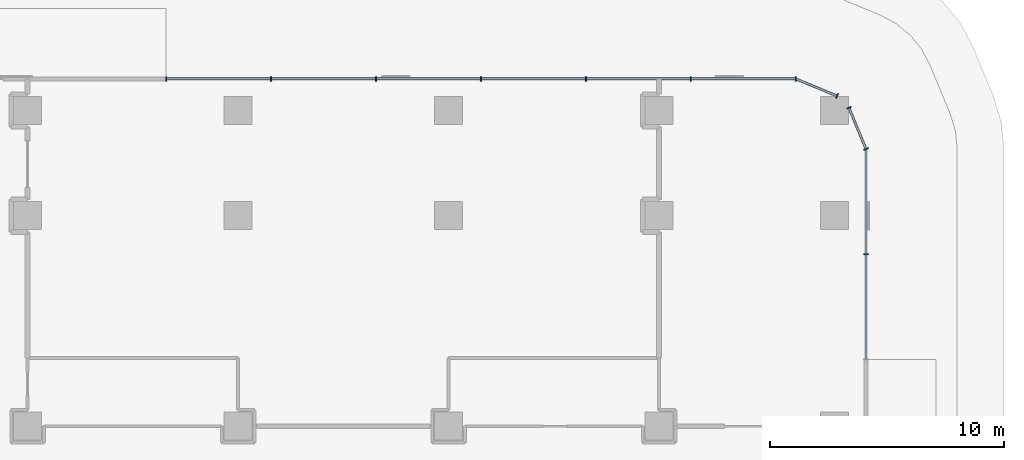
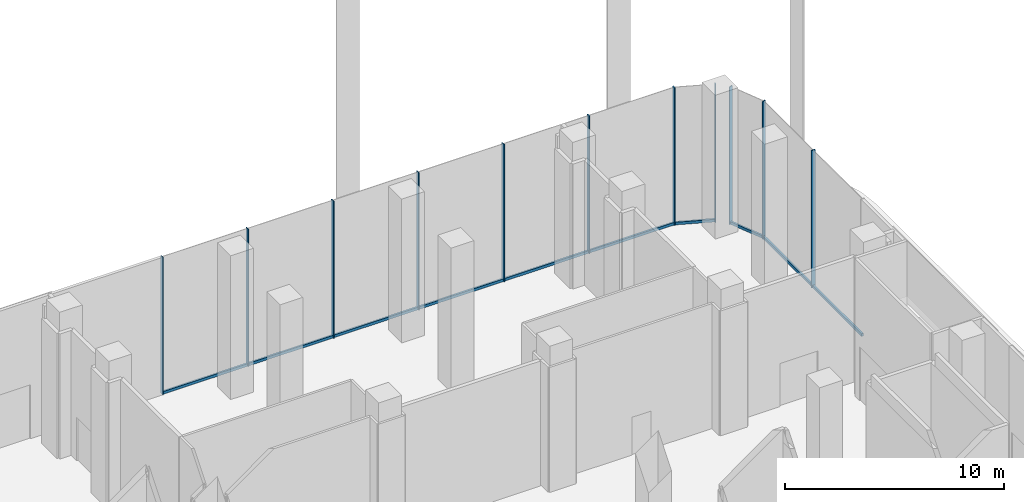
# One storey, part 13 of 42: 15 members, 4 elements without a shape of their own.
"""IFC4 building model written with IfcOpenShell, lengths in metres."""

from ifc_helpers import new_model, si_unit, direction, frame, origin, origin_2d, place, context, subcontext, project, spatial, rectangle, extrude, material, layer, layer_set, material_profile, profile_set, type_object, element, aggregate, save


model = new_model("IFC4")

# Units and contexts
model_context = context("Model", 3, precision=1e-05, world=origin(), true_north=direction((0.0, 1.0)))
body_context = subcontext(model_context, "Body", "Model", "MODEL_VIEW")
ifc_project = project(units=[si_unit("LENGTHUNIT", "METRE"), si_unit("AREAUNIT", "SQUARE_METRE"), si_unit("VOLUMEUNIT", "CUBIC_METRE"), si_unit("PLANEANGLEUNIT", "RADIAN"), si_unit("MASSUNIT", "GRAM", prefix="KILO")], contexts=[model_context])

# Site, building, storey
site_placement = place(None, origin())
site = spatial("IfcSite", under=ifc_project, at=site_placement, CompositionType="ELEMENT")
building_placement = place(site_placement, origin())
building = spatial("IfcBuilding", under=site, at=building_placement, Name="Plateau Cross Towers", CompositionType="ELEMENT")
storey_placement = place(building_placement, origin())
storey = spatial("IfcBuildingStorey", under=building, at=storey_placement, Name="L00", CompositionType="ELEMENT", Elevation=0.0)

# Curtain wall, member
ifc_material_1 = material(Name="Dark low-iron laminated glass", Category="glass")
ifc_layer = layer(ifc_material_1, 0.300048828125)
ifc_layer_set = layer_set([ifc_layer], Name="Dark low-iron laminated glass")
curtain_wall_type = type_object("IfcCurtainWallType", Name="Curtain wall structural silicone CW-C", PredefinedType="NOTDEFINED", material=ifc_layer_set)
curtain_wall_1_placement = place(storey_placement, origin())
curtain_wall_1 = element("IfcCurtainWall", 1, at=curtain_wall_1_placement, inside=storey, type_object=curtain_wall_type, Name="ENV/P/L00/P1078_479", PredefinedType="NOTDEFINED")
ifc_material_2 = material(Name="Black anodised aluminium", Category="aluminium")
ifc_material_profile_1 = material_profile(ifc_material_2, rectangle(XDim=0.050048828125, YDim=0.199951171875, at=origin_2d()), Name="MULLION 50x200")
ifc_profile_set_1 = profile_set([ifc_material_profile_1], Name="Black anodised aluminium")
member_type_1 = type_object("IfcMemberType", Name="Mullion 50x200 structural silicone", PredefinedType="MULLION", material=ifc_profile_set_1)
member_1_placement = place(storey_placement, frame((107.85009765625, 52.35498046875, 0.0), z_axis=(0.0, 0.0, 1.0), x_axis=(0.0, 1.0, 0.0)))
member_1 = element("IfcMember", 2, at=member_1_placement, type_object=member_type_1, Name="CW-C mullion 2", PredefinedType="MULLION", context=body_context, shape_type="SweptSolid", body=[
    extrude(rectangle(XDim=0.050048828125, YDim=0.199951171875, at=origin_2d()), origin(), (0.0, 0.0, 1.0), 7.64990234375),
])

# Curtain wall, members
curtain_wall_2_placement = place(storey_placement, origin())
curtain_wall_2 = element("IfcCurtainWall", 3, at=curtain_wall_2_placement, inside=storey, type_object=curtain_wall_type, Name="ENV/P/L00/P1078_568", PredefinedType="NOTDEFINED")
member_2_placement = place(storey_placement, frame((107.85009765625, 56.85009765625, 0.0), z_axis=(0.0, 0.0, 1.0), x_axis=(-0.382683612978, 0.923879457699, 0.0)))
member_2 = element("IfcMember", 4, at=member_2_placement, type_object=member_type_1, Name="CW-C mullion 1", PredefinedType="MULLION", context=body_context, shape_type="SweptSolid", body=[
    extrude(rectangle(XDim=0.050048828125, YDim=0.199951171875, at=origin_2d()), origin(), (0.0, 0.0, 1.0), 7.64990234375),
])
member_3_placement = place(storey_placement, frame((107.1201171875, 58.6123046875, 0.0), z_axis=(0.0, 0.0, 1.0), x_axis=(-0.382683612978, 0.923879457699, 0.0)))
member_3 = element("IfcMember", 5, at=member_3_placement, type_object=member_type_1, Name="CW-C mullion 2", PredefinedType="MULLION", context=body_context, shape_type="SweptSolid", body=[
    extrude(rectangle(XDim=0.050048828125, YDim=0.199951171875, at=origin_2d()), origin(), (0.0, 0.0, 1.0), 7.64990234375),
])

# Curtain wall, member
curtain_wall_3_placement = place(storey_placement, origin())
curtain_wall_3 = element("IfcCurtainWall", 6, at=curtain_wall_3_placement, inside=storey, type_object=curtain_wall_type, Name="ENV/P/L00/P1066_591", PredefinedType="NOTDEFINED")
member_4_placement = place(storey_placement, frame((106.6123046875, 59.1201171875, 0.0), z_axis=(0.0, 0.0, 1.0), x_axis=(-0.923879457699, 0.382683612978, 0.0)))
member_4 = element("IfcMember", 7, at=member_4_placement, type_object=member_type_1, Name="CW-C mullion 1", PredefinedType="MULLION", context=body_context, shape_type="SweptSolid", body=[
    extrude(rectangle(XDim=0.050048828125, YDim=0.199951171875, at=origin_2d()), origin(), (0.0, 0.0, 1.0), 7.64990234375),
])

# Curtain wall, members
curtain_wall_4_placement = place(storey_placement, origin())
curtain_wall_4 = element("IfcCurtainWall", 8, at=curtain_wall_4_placement, inside=storey, type_object=curtain_wall_type, Name="ENV/P/L00/P1048_598", PredefinedType="NOTDEFINED")
member_5_placement = place(storey_placement, frame((104.85009765625, 59.85009765625, 0.0), z_axis=(0.0, 0.0, 1.0), x_axis=(-1.0, 0.0, 0.0)))
member_5 = element("IfcMember", 9, at=member_5_placement, type_object=member_type_1, Name="CW-C mullion 1", PredefinedType="MULLION", context=body_context, shape_type="SweptSolid", body=[
    extrude(rectangle(XDim=0.050048828125, YDim=0.199951171875, at=origin_2d()), origin(), (0.0, 0.0, 1.0), 7.64990234375),
])
member_6_placement = place(storey_placement, frame((100.362548828125, 59.85009765625, 0.0), z_axis=(0.0, 0.0, 1.0), x_axis=(-1.0, 0.0, 0.0)))
member_6 = element("IfcMember", 10, at=member_6_placement, type_object=member_type_1, Name="CW-C mullion 2", PredefinedType="MULLION", context=body_context, shape_type="SweptSolid", body=[
    extrude(rectangle(XDim=0.050048828125, YDim=0.199951171875, at=origin_2d()), origin(), (0.0, 0.0, 1.0), 7.64990234375),
])
member_7_placement = place(storey_placement, frame((95.875, 59.85009765625, 0.0), z_axis=(0.0, 0.0, 1.0), x_axis=(-1.0, 0.0, 0.0)))
member_7 = element("IfcMember", 11, at=member_7_placement, type_object=member_type_1, Name="CW-C mullion 3", PredefinedType="MULLION", context=body_context, shape_type="SweptSolid", body=[
    extrude(rectangle(XDim=0.050048828125, YDim=0.199951171875, at=origin_2d()), origin(), (0.0, 0.0, 1.0), 7.64990234375),
])
member_8_placement = place(storey_placement, frame((91.387451171875, 59.85009765625, 0.0), z_axis=(0.0, 0.0, 1.0), x_axis=(-1.0, 0.0, 0.0)))
member_8 = element("IfcMember", 12, at=member_8_placement, type_object=member_type_1, Name="CW-C mullion 4", PredefinedType="MULLION", context=body_context, shape_type="SweptSolid", body=[
    extrude(rectangle(XDim=0.050048828125, YDim=0.199951171875, at=origin_2d()), origin(), (0.0, 0.0, 1.0), 7.64990234375),
])
member_9_placement = place(storey_placement, frame((86.89990234375, 59.85009765625, 0.0), z_axis=(0.0, 0.0, 1.0), x_axis=(-1.0, 0.0, 0.0)))
member_9 = element("IfcMember", 13, at=member_9_placement, type_object=member_type_1, Name="CW-C mullion 5", PredefinedType="MULLION", context=body_context, shape_type="SweptSolid", body=[
    extrude(rectangle(XDim=0.050048828125, YDim=0.199951171875, at=origin_2d()), origin(), (0.0, 0.0, 1.0), 7.64990234375),
])
member_10_placement = place(storey_placement, frame((82.41259765625, 59.85009765625, 0.0), z_axis=(0.0, 0.0, 1.0), x_axis=(-1.0, 0.0, 0.0)))
member_10 = element("IfcMember", 14, at=member_10_placement, type_object=member_type_1, Name="CW-C mullion 6", PredefinedType="MULLION", context=body_context, shape_type="SweptSolid", body=[
    extrude(rectangle(XDim=0.050048828125, YDim=0.199951171875, at=origin_2d()), origin(), (0.0, 0.0, 1.0), 7.64990234375),
])
member_11_placement = place(storey_placement, frame((77.925048828125, 59.85009765625, 0.0), z_axis=(0.0, 0.0, 1.0), x_axis=(-1.0, 0.0, 0.0)))
member_11 = element("IfcMember", 15, at=member_11_placement, type_object=member_type_1, Name="CW-C mullion 7", PredefinedType="MULLION", context=body_context, shape_type="SweptSolid", body=[
    extrude(rectangle(XDim=0.050048828125, YDim=0.199951171875, at=origin_2d()), origin(), (0.0, 0.0, 1.0), 7.64990234375),
])

# Member
ifc_material_profile_2 = material_profile(ifc_material_2, rectangle(XDim=0.10009765625, YDim=0.14990234375, at=origin_2d()), Name="TRANSOM 100x150")
ifc_profile_set_2 = profile_set([ifc_material_profile_2], Name="Black anodised aluminium")
member_type_2 = type_object("IfcMemberType", Name="Transom 100x150 structural silicone", PredefinedType="USERDEFINED", material=ifc_profile_set_2)
member_12_placement = place(storey_placement, frame((107.85009765625, 47.860107421875, 0.074951171875), z_axis=(0.0, 1.0, 0.0), x_axis=(-1.0, 0.0, 0.0)))
member_12 = element("IfcMember", 16, at=member_12_placement, type_object=member_type_2, Name="CW-C transom", ObjectType="TRANSOM", PredefinedType="USERDEFINED", context=body_context, shape_type="SweptSolid", body=[
    extrude(rectangle(XDim=0.10009765625, YDim=0.14990234375, at=origin_2d()), origin(), (0.0, 0.0, 1.0), 8.989990234375),
])

aggregate(curtain_wall_1, [member_1, member_12])

member_13_placement = place(storey_placement, frame((107.85009765625, 56.85009765625, 0.074951171875), z_axis=(-0.38270599329, 0.923870187147, 0.0), x_axis=(-0.923870187147, -0.38270599329, 0.0)))
member_13 = element("IfcMember", 17, at=member_13_placement, type_object=member_type_2, Name="CW-C transom", ObjectType="TRANSOM", PredefinedType="USERDEFINED", context=body_context, shape_type="SweptSolid", body=[
    extrude(rectangle(XDim=0.10009765625, YDim=0.14990234375, at=origin_2d()), origin(), (0.0, 0.0, 1.0), 1.907470703125),
])

aggregate(curtain_wall_2, [member_2, member_3, member_13])

member_14_placement = place(storey_placement, frame((106.6123046875, 59.1201171875, 0.074951171875), z_axis=(-0.923870187147, 0.38270599329, 0.0), x_axis=(-0.38270599329, -0.923870187147, 0.0)))
member_14 = element("IfcMember", 18, at=member_14_placement, type_object=member_type_2, Name="CW-C transom", ObjectType="TRANSOM", PredefinedType="USERDEFINED", context=body_context, shape_type="SweptSolid", body=[
    extrude(rectangle(XDim=0.10009765625, YDim=0.14990234375, at=origin_2d()), origin(), (0.0, 0.0, 1.0), 1.907470703125),
])

aggregate(curtain_wall_3, [member_4, member_14])

member_15_placement = place(storey_placement, frame((104.85009765625, 59.85009765625, 0.074951171875), z_axis=(-1.0, 0.0, 0.0), x_axis=(0.0, -1.0, 0.0)))
member_15 = element("IfcMember", 19, at=member_15_placement, type_object=member_type_2, Name="CW-C transom", ObjectType="TRANSOM", PredefinedType="USERDEFINED", context=body_context, shape_type="SweptSolid", body=[
    extrude(rectangle(XDim=0.10009765625, YDim=0.14990234375, at=origin_2d()), origin(), (0.0, 0.0, 1.0), 26.925048828125),
])

aggregate(curtain_wall_4, [member_5, member_6, member_7, member_8, member_9, member_10, member_11, member_15])

save(model, "model.ifc")
